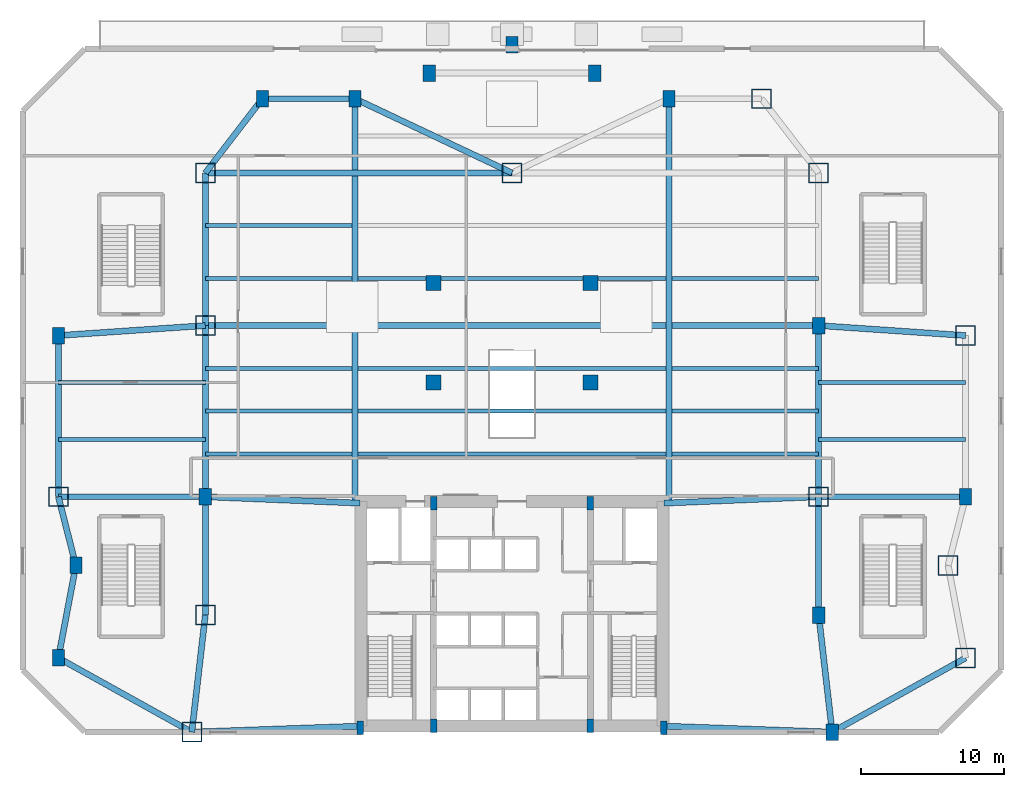
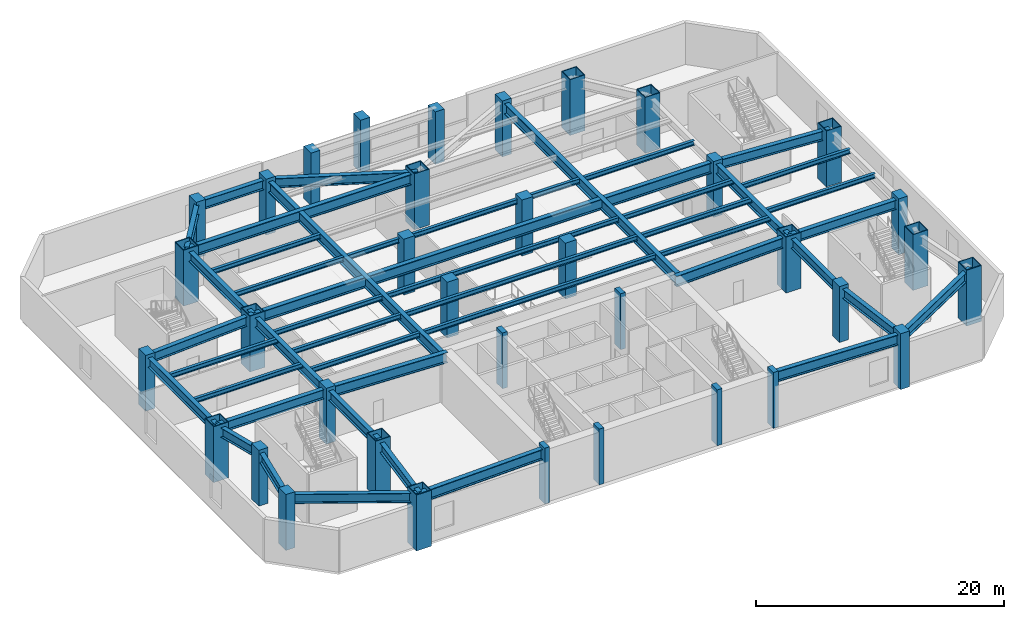
# One storey, part 1 of 10: 44 beams, 36 columns.
"""IFC4 building model written with IfcOpenShell, lengths in metres."""

import ifcopenshell
import ifcopenshell.guid

model = None  # the IFC model being written
_history = None  # IfcOwnerHistory: only IFC2X3 demands one
_inside = {}  # id of a spatial element -> (the spatial element, [elements in it])
_under = {}  # id of a project, library or spatial element -> (it, [spatial elements below it])
_declared = {}  # id of a project -> (the project, [libraries it declares])
_typed = {}  # id of a type object -> (the type object, [elements of that type])
_made_of = {}  # id of a material, layer set ... -> (it, [elements and type objects made of it])


def new_model(schema):
    """Start an empty IFC model of exactly this schema.

    Asked for "IFC4X3", IfcOpenShell would pick the latest addendum, in which some entities
    have other attributes; the version numbers below select the first issue.
    IFC2X3 requires an IfcOwnerHistory on every rooted entity: one is made here for all.
    """
    global model, _history
    if schema == "IFC4X3":
        model = ifcopenshell.file(schema_version=(4, 3, 0, 0))
    else:
        model = ifcopenshell.file(schema=schema)
    _inside.clear()
    _under.clear()
    _declared.clear()
    _typed.clear()
    _made_of.clear()
    _history = None
    if model.schema == "IFC2X3":
        org = make("IfcOrganization", Name="unknown")
        user = make(
            "IfcPersonAndOrganization",
            ThePerson=make("IfcPerson", FamilyName="unknown"),
            TheOrganization=org,
        )
        app = make(
            "IfcApplication",
            ApplicationDeveloper=org,
            Version="unknown",
            ApplicationFullName="unknown",
            ApplicationIdentifier="unknown",
        )
        _history = make(
            "IfcOwnerHistory",
            OwningUser=user,
            OwningApplication=app,
            ChangeAction="ADDED",
            CreationDate=0,
        )
    return model


def make(cls, **values):
    """One entity of the class cls with the attributes given. An attribute that is None is left unset."""
    return model.create_entity(
        cls, **{name: value for name, value in values.items() if value is not None}
    )


def rooted(cls, **values):
    """An entity with a GlobalId (a new one), such as an element, a storey or a relation."""
    return make(cls, GlobalId=ifcopenshell.guid.new(), OwnerHistory=_history, **values)


def si_unit(unit_type, name, prefix=None):
    """IfcSIUnit, for example si_unit("LENGTHUNIT", "METRE", prefix="MILLI")."""
    return make("IfcSIUnit", UnitType=unit_type, Prefix=prefix, Name=name)


def assignment(units):
    """IfcUnitAssignment: the units of a project."""
    return None if units is None else make("IfcUnitAssignment", Units=units)


def point(xyz):
    """IfcCartesianPoint."""
    return None if xyz is None else make("IfcCartesianPoint", Coordinates=xyz)


def direction(xyz):
    """IfcDirection."""
    return None if xyz is None else make("IfcDirection", DirectionRatios=xyz)


def frame(location, z_axis=None, x_axis=None):
    """IfcAxis2Placement3D, a coordinate frame: its origin and axes. An axis left out is left unset."""
    return make(
        "IfcAxis2Placement3D",
        Location=point(location),
        Axis=direction(z_axis),
        RefDirection=direction(x_axis),
    )


def frame_2d(location, x_axis=None):
    """IfcAxis2Placement2D, a coordinate frame in the plane: its origin and x axis."""
    return make(
        "IfcAxis2Placement2D", Location=point(location), RefDirection=direction(x_axis)
    )


def origin():
    """The frame at (0, 0, 0) with its axes left unset."""
    return frame((0.0, 0.0, 0.0))


def origin_2d():
    """The frame at (0, 0) in the plane with its x axis left unset."""
    return frame_2d((0.0, 0.0))


def place(relative_to, where):
    """IfcLocalPlacement: puts the frame where relative to a parent placement (None: the world)."""
    return make(
        "IfcLocalPlacement", PlacementRelTo=relative_to, RelativePlacement=where
    )


def context(
    kind, dimensions, precision=None, world=None, true_north=None, identifier=None
):
    """IfcGeometricRepresentationContext, for example the 3D "Model" context."""
    return make(
        "IfcGeometricRepresentationContext",
        ContextIdentifier=identifier,
        ContextType=kind,
        CoordinateSpaceDimension=dimensions,
        Precision=precision,
        WorldCoordinateSystem=world,
        TrueNorth=true_north,
    )


def subcontext(parent, identifier, kind, view, scale=None):
    """IfcGeometricRepresentationSubContext, for example "Body" below "Model"."""
    return make(
        "IfcGeometricRepresentationSubContext",
        ContextIdentifier=identifier,
        ContextType=kind,
        ParentContext=parent,
        TargetScale=scale,
        TargetView=view,
    )


def project(units=None, contexts=None):
    """IfcProject with its units and contexts."""
    return rooted(
        "IfcProject",
        Name="project",
        RepresentationContexts=contexts,
        UnitsInContext=assignment(units),
    )


def spatial(cls, under=None, at=None, **own):
    """A site, building, storey or space (cls), placed at a placement, below another one or the project."""
    s = rooted(cls, ObjectPlacement=at, **own)
    if under is not None:
        _under.setdefault(under.id(), (under, []))[1].append(s)
    return s


def profile(cls, at=None, kind="AREA", **sizes):
    """A parametric profile (cls). Its sizes go by their IFC names, for example OverallWidth=200.0."""
    return make(cls, ProfileType=kind, Position=at, **sizes)


def rectangle(**sizes):
    """IfcRectangleProfileDef."""
    return profile("IfcRectangleProfileDef", **sizes)


def hollow_rectangle(**sizes):
    """IfcRectangleHollowProfileDef."""
    return profile("IfcRectangleHollowProfileDef", **sizes)


def i_section(**sizes):
    """IfcIShapeProfileDef."""
    return profile("IfcIShapeProfileDef", **sizes)


def extrude(swept, where, along, depth):
    """IfcExtrudedAreaSolid: the profile swept, set in the frame where, extruded along a direction by depth."""
    return make(
        "IfcExtrudedAreaSolid",
        SweptArea=swept,
        Position=where,
        ExtrudedDirection=direction(along),
        Depth=depth,
    )


def shape(context_of_items, identifier, shape_type, items):
    """IfcShapeRepresentation: the items that make up one representation, for example the "Body"."""
    return make(
        "IfcShapeRepresentation",
        ContextOfItems=context_of_items,
        RepresentationIdentifier=identifier,
        RepresentationType=shape_type,
        Items=items,
    )


def source(mapping_origin, context_of_items, identifier, shape_type, items):
    """IfcRepresentationMap: a shape defined once, which mapped items show again and again."""
    return make(
        "IfcRepresentationMap",
        MappingOrigin=mapping_origin,
        MappedRepresentation=shape(context_of_items, identifier, shape_type, items),
    )


def transform(
    local_origin,
    x_axis=None,
    y_axis=None,
    z_axis=None,
    scale=None,
    scale2=None,
    scale3=None,
    uniform=True,
):
    """IfcCartesianTransformationOperator3D, or its non-uniform kind. x_axis, y_axis, z_axis: its Axis1, 2, 3."""
    if uniform:
        return make(
            "IfcCartesianTransformationOperator3D",
            Axis1=direction(x_axis),
            Axis2=direction(y_axis),
            LocalOrigin=point(local_origin),
            Scale=scale,
            Axis3=direction(z_axis),
        )
    return make(
        "IfcCartesianTransformationOperator3DnonUniform",
        Axis1=direction(x_axis),
        Axis2=direction(y_axis),
        LocalOrigin=point(local_origin),
        Scale=scale,
        Axis3=direction(z_axis),
        Scale2=scale2,
        Scale3=scale3,
    )


def mapped(mapping_source, mapping_target):
    """IfcMappedItem: shows the shape of a source again, moved by a transform."""
    return make(
        "IfcMappedItem", MappingSource=mapping_source, MappingTarget=mapping_target
    )


def material(Name=None, Category=None):
    """IfcMaterial."""
    return make("IfcMaterial", Name=Name, Category=Category)


def material_profile(
    of_material, cross_section, Name=None, Category=None, Priority=None
):
    """IfcMaterialProfile: a cross section and its material."""
    return make(
        "IfcMaterialProfile",
        Name=Name,
        Material=of_material,
        Profile=cross_section,
        Priority=Priority,
        Category=Category,
    )


def profile_set(profiles, Name=None, composite=None):
    """IfcMaterialProfileSet."""
    return make(
        "IfcMaterialProfileSet",
        Name=Name,
        MaterialProfiles=profiles,
        CompositeProfile=composite,
    )


def made_of(thing, what):
    """Note that an element or type object is made of a material, layer set ...; save() writes the relation."""
    if what is not None:
        _made_of.setdefault(what.id(), (what, []))[1].append(thing)
    return thing


def type_object(cls, material=None, **own):
    """A type object (cls), such as IfcWallType, which elements share."""
    return made_of(rooted(cls, **own), material)


def type_shapes(of_type, sources):
    """Give a type object the sources (RepresentationMaps) that its elements show as mapped items."""
    of_type.RepresentationMaps = sources


def element(
    cls,
    number,
    at=None,
    inside=None,
    cuts=None,
    type_object=None,
    material=None,
    context=None,
    identifier="Body",
    shape_type=None,
    held_by="IfcProductDefinitionShape",
    body=None,
    shapes=None,
    **own,
):
    """One element of the class cls, such as IfcWall. Its Tag is "e" and its number.

    at: its placement. inside: the storey or other place that contains it. cuts: it is an
    opening in that element (IfcRelVoidsElement). A single representation is given by context,
    identifier, shape_type and body (its items); several are given by shapes. held_by: the class
    of the entity that holds the representations. save() writes the other relations.
    """
    e = rooted(cls, Tag="e%d" % number, ObjectPlacement=at, **own)
    if body is not None:
        shapes = [shape(context, identifier, shape_type, body)]
    if shapes is not None:
        e.Representation = make(held_by, Representations=shapes)
    if inside is not None:
        _inside.setdefault(inside.id(), (inside, []))[1].append(e)
    if cuts is not None:
        rooted(
            "IfcRelVoidsElement", RelatingBuildingElement=cuts, RelatedOpeningElement=e
        )
    if type_object is not None:
        _typed.setdefault(type_object.id(), (type_object, []))[1].append(e)
    return made_of(e, material)


def aggregate(whole, parts):
    """IfcRelAggregates: a whole, such as a stair, and the parts it consists of."""
    return rooted("IfcRelAggregates", RelatingObject=whole, RelatedObjects=parts)


def save(model, path):
    """Write the relations noted so far, then the file.

    IfcRelAggregates (storeys below a building ...), IfcRelContainedInSpatialStructure (elements
    in a storey), IfcRelDefinesByType, IfcRelAssociatesMaterial and IfcRelDeclares: one each for
    every whole, place, type object, material and project.
    """
    for whole, parts in _under.values():
        aggregate(whole, parts)
    for where, things in _inside.values():
        rooted(
            "IfcRelContainedInSpatialStructure",
            RelatedElements=things,
            RelatingStructure=where,
        )
    for kind, things in _typed.values():
        rooted("IfcRelDefinesByType", RelatedObjects=things, RelatingType=kind)
    for what, things in _made_of.values():
        rooted("IfcRelAssociatesMaterial", RelatedObjects=things, RelatingMaterial=what)
    for by, libraries in _declared.values():
        rooted("IfcRelDeclares", RelatingContext=by, RelatedDefinitions=libraries)
    model.write(path)


model = new_model("IFC4")

# Units and contexts
model_context = context("Model", 3, precision=1e-05, world=origin(), true_north=direction((0.0, 1.0)))
body_context = subcontext(model_context, "Body", "Model", "MODEL_VIEW")
ifc_project = project(units=[si_unit("LENGTHUNIT", "METRE"), si_unit("AREAUNIT", "SQUARE_METRE"), si_unit("VOLUMEUNIT", "CUBIC_METRE"), si_unit("PLANEANGLEUNIT", "RADIAN"), si_unit("MASSUNIT", "GRAM", prefix="KILO")], contexts=[model_context])

# Site, building, storey
site_placement = place(None, origin())
site = spatial("IfcSite", under=ifc_project, at=site_placement, CompositionType="ELEMENT")
building_placement = place(site_placement, origin())
building = spatial("IfcBuilding", under=site, at=building_placement, Name="Varnakhor Terracotta Tower", CompositionType="ELEMENT")
storey_placement = place(building_placement, frame((0.0, 0.0, 5.5)))
storey = spatial("IfcBuildingStorey", under=building, at=storey_placement, Name="L01", CompositionType="ELEMENT", Elevation=5.5)

# Columns
ifc_material_1 = material(Name="Concrete C50/60", Category="concrete")
ifc_material_profile_1 = material_profile(ifc_material_1, rectangle(XDim=0.449951171875, YDim=0.949951171875, at=origin_2d()), Name="RC PILASTER 950x450")
ifc_profile_set_1 = profile_set([ifc_material_profile_1], Name="Concrete C50/60")
column_type_1 = type_object("IfcColumnType", Name="COL-PIL-950x450", PredefinedType="PILASTER", material=ifc_profile_set_1)
shared_shape_1 = source(origin(), body_context, "Body", "SweptSolid", [
    extrude(rectangle(XDim=0.449951171875, YDim=0.949951171875, at=origin_2d()), origin(), (0.0, 0.0, 1.0), 5.5),
])
for number, where, z_axis, x_axis, name in (
    (1, (-10.64990234375, 0.300048828125, 0.0), (0.0, 0.0, 1.0), (1.0, 0.0, 0.0), "L01 Core Pilaster CP1"),
    (2, (-5.5, 0.449951171875, 0.0), (0.0, 0.0, 1.0), (1.0, 0.0, 0.0), "L01 Core Pilaster CP2"),
    (3, (5.5, 0.449951171875, 0.0), (0.0, 0.0, 1.0), (1.0, 0.0, 0.0), "L01 Core Pilaster CP3"),
    (4, (10.64990234375, 0.300048828125, 0.0), (0.0, 0.0, 1.0), (1.0, 0.0, 0.0), "L01 Core Pilaster CP4"),
    (5, (-5.5, 16.050048828125, 0.0), (0.0, 0.0, 1.0), (1.0, 0.0, 0.0), "L01 Core Pilaster CP5"),
    (6, (5.5, 16.050048828125, 0.0), (0.0, 0.0, 1.0), (1.0, 0.0, 0.0), "L01 Core Pilaster CP6"),
):
    element("IfcColumn", number, at=place(storey_placement, frame(where, z_axis=z_axis, x_axis=x_axis)), inside=storey, type_object=column_type_1, Name=name, PredefinedType="PILASTER", context=body_context, shape_type="MappedRepresentation", body=[
        mapped(shared_shape_1, transform((0.0, 0.0, 0.0), scale=1.0)),
    ])
ifc_material_2 = material(Name="Concrete C60/75", Category="concrete")
ifc_material_profile_2 = material_profile(ifc_material_2, rectangle(XDim=1.050048828125, YDim=1.050048828125, at=origin_2d()), Name="RC 1050x1050")
ifc_profile_set_2 = profile_set([ifc_material_profile_2], Name="Concrete C60/75")
column_type_2 = type_object("IfcColumnType", Name="COL-RC-1050", PredefinedType="COLUMN", material=ifc_profile_set_2)
shared_shape_2 = source(origin(), body_context, "Body", "SweptSolid", [
    extrude(rectangle(XDim=1.050048828125, YDim=1.050048828125, at=origin_2d()), origin(), (0.0, 0.0, 1.0), 5.5),
])
type_shapes(column_type_2, [shared_shape_2])
for number, where, z_axis, x_axis, name in (
    (7, (-5.5, 24.5, 0.0), (0.0, 0.0, 1.0), (1.0, 0.0, 0.0), "L01 Interior Plumb Tower Column I1"),
    (8, (5.5, 24.5, 0.0), (0.0, 0.0, 1.0), (1.0, 0.0, 0.0), "L01 Interior Plumb Tower Column I2"),
    (9, (-5.5, 31.5, 0.0), (0.0, 0.0, 1.0), (1.0, 0.0, 0.0), "L01 Interior Plumb Tower Column I3"),
    (10, (5.5, 31.5, 0.0), (0.0, 0.0, 1.0), (1.0, 0.0, 0.0), "L01 Interior Plumb Tower Column I4"),
):
    element("IfcColumn", number, at=place(storey_placement, frame(where, z_axis=z_axis, x_axis=x_axis)), inside=storey, type_object=column_type_2, Name=name, PredefinedType="COLUMN", context=body_context, shape_type="MappedRepresentation", body=[
        mapped(shared_shape_2, transform((0.0, 0.0, 0.0), scale=1.0)),
    ])
ifc_material_profile_3 = material_profile(ifc_material_2, rectangle(XDim=0.85009765625, YDim=1.14990234375, at=origin_2d()), Name="RC 1150x850")
ifc_profile_set_3 = profile_set([ifc_material_profile_3], Name="Concrete C60/75")
column_type_3 = type_object("IfcColumnType", Name="COL-RC-1150x850", PredefinedType="COLUMN", material=ifc_profile_set_3)
shared_shape_3 = source(origin(), body_context, "Body", "SweptSolid", [
    extrude(rectangle(XDim=0.85009765625, YDim=1.14990234375, at=origin_2d()), origin(), (0.0, 0.0, 1.0), 5.159912109375),
])
for number, where, z_axis, x_axis, name in (
    (11, (-5.800048828125, 46.199951171875, 0.0), (0.0, 0.0, 1.0), (1.0, 0.0, 0.0), "L01 North Terrace Support Column 1"),
    (12, (5.800048828125, 46.199951171875, 0.0), (0.0, 0.0, 1.0), (1.0, 0.0, 0.0), "L01 North Terrace Support Column 2"),
    (13, (0.0, 48.199951171875, 0.0), (0.0, 0.0, 1.0), (1.0, 0.0, 0.0), "L01 North Terrace Support Column 3"),
):
    element("IfcColumn", number, at=place(storey_placement, frame(where, z_axis=z_axis, x_axis=x_axis)), inside=storey, type_object=column_type_3, Name=name, PredefinedType="COLUMN", context=body_context, shape_type="MappedRepresentation", body=[
        mapped(shared_shape_3, transform((0.0, 0.0, 0.0), scale=1.0)),
    ])
ifc_material_3 = material(Name="Steel S460", Category="steel")
ifc_material_profile_4 = material_profile(ifc_material_3, hollow_rectangle(XDim=1.39990234375, YDim=1.39990234375, WallThickness=0.070068359375, at=origin_2d()), Name="BOX 1400x1400x70")
ifc_profile_set_4 = profile_set([ifc_material_profile_4], Name="Steel S460")
column_type_4 = type_object("IfcColumnType", Name="COL-MEGA-1400", PredefinedType="COLUMN", material=ifc_profile_set_4)
shared_shape_4 = source(origin(), body_context, "Body", "SweptSolid", [
    extrude(hollow_rectangle(XDim=1.39990234375, YDim=1.39990234375, WallThickness=0.070068359375, at=origin_2d()), origin(), (0.0, 0.0, 1.0), 5.5),
])
for number, where, z_axis, x_axis, name in (
    (14, (-22.446044921875, 0.0, 0.0), (0.0, 0.0, 1.0), (1.0, 0.0, 0.0), "L01 Podium Column PC01"),
    (15, (-21.5, 8.199951171875, 0.0), (0.0, 0.0, 1.0), (1.0, 0.0, 0.0), "L01 Podium Column PC03"),
    (16, (-31.800048828125, 16.5, 0.0), (0.0, 0.0, 1.0), (1.0, 0.0, 0.0), "L01 Podium Column PC05"),
    (17, (-21.5, 28.5, 0.0), (0.0, 0.0, 1.0), (1.0, 0.0, 0.0), "L01 Podium Column PC07"),
    (18, (-21.5, 39.199951171875, 0.0), (0.0, 0.0, 1.0), (1.0, 0.0, 0.0), "L01 Podium Column PC09"),
    (19, (0.0, 39.199951171875, 0.0), (0.0, 0.0, 1.0), (1.0, 0.0, 0.0), "L01 Podium Column PC11"),
    (20, (21.5, 39.199951171875, 0.0), (0.0, 0.0, 1.0), (1.0, 0.0, 0.0), "L01 Podium Column PC13"),
    (21, (21.5, 16.5, 0.0), (0.0, 0.0, 1.0), (1.0, 0.0, 0.0), "L01 Podium Column PC15"),
    (22, (31.800048828125, 5.199951171875, 0.0), (0.0, 0.0, 1.0), (1.0, 0.0, 0.0), "L01 Podium Column PC17"),
    (23, (31.800048828125, 27.800048828125, 0.0), (0.0, 0.0, 1.0), (1.0, 0.0, 0.0), "L01 Podium Column PC19"),
    (24, (17.5, 44.39990234375, 0.0), (0.0, 0.0, 1.0), (1.0, 0.0, 0.0), "L01 Podium Column PC21"),
    (25, (30.572998046875, 11.68701171875, 0.0), (0.0, 0.0, 1.0), (1.0, 0.0, 0.0), "L01 Podium Column PC23"),
):
    element("IfcColumn", number, at=place(storey_placement, frame(where, z_axis=z_axis, x_axis=x_axis)), inside=storey, type_object=column_type_4, Name=name, PredefinedType="COLUMN", context=body_context, shape_type="MappedRepresentation", body=[
        mapped(shared_shape_4, transform((0.0, 0.0, 0.0), scale=1.0)),
    ])
shared_shape_5 = source(origin(), body_context, "Body", "SweptSolid", [
    extrude(rectangle(XDim=0.85009765625, YDim=1.14990234375, at=origin_2d()), origin(), (0.0, 0.0, 1.0), 5.5),
])
for number, where, z_axis, x_axis, name in (
    (26, (22.446044921875, 0.0, 0.0), (0.0, 0.0, 1.0), (1.0, 0.0, 0.0), "L01 Podium Column PC02"),
    (27, (21.5, 8.199951171875, 0.0), (0.0, 0.0, 1.0), (1.0, 0.0, 0.0), "L01 Podium Column PC04"),
    (28, (31.800048828125, 16.5, 0.0), (0.0, 0.0, 1.0), (1.0, 0.0, 0.0), "L01 Podium Column PC06"),
    (29, (21.5, 28.5, 0.0), (0.0, 0.0, 1.0), (1.0, 0.0, 0.0), "L01 Podium Column PC08"),
    (30, (-11.0, 44.39990234375, 0.0), (0.0, 0.0, 1.0), (1.0, 0.0, 0.0), "L01 Podium Column PC10"),
    (31, (11.0, 44.39990234375, 0.0), (0.0, 0.0, 1.0), (1.0, 0.0, 0.0), "L01 Podium Column PC12"),
    (32, (-21.5, 16.5, 0.0), (0.0, 0.0, 1.0), (1.0, 0.0, 0.0), "L01 Podium Column PC14"),
    (33, (-31.800048828125, 5.199951171875, 0.0), (0.0, 0.0, 1.0), (1.0, 0.0, 0.0), "L01 Podium Column PC16"),
    (34, (-31.800048828125, 27.800048828125, 0.0), (0.0, 0.0, 1.0), (1.0, 0.0, 0.0), "L01 Podium Column PC18"),
    (35, (-17.5, 44.39990234375, 0.0), (0.0, 0.0, 1.0), (1.0, 0.0, 0.0), "L01 Podium Column PC20"),
    (36, (-30.572998046875, 11.68701171875, 0.0), (0.0, 0.0, 1.0), (1.0, 0.0, 0.0), "L01 Podium Column PC22"),
):
    element("IfcColumn", number, at=place(storey_placement, frame(where, z_axis=z_axis, x_axis=x_axis)), inside=storey, type_object=column_type_3, Name=name, PredefinedType="COLUMN", context=body_context, shape_type="MappedRepresentation", body=[
        mapped(shared_shape_5, transform((0.0, 0.0, 0.0), scale=1.0)),
    ])

# Beams
ifc_material_4 = material(Name="Steel S355", Category="steel")
ifc_material_profile_5 = material_profile(ifc_material_4, i_section(OverallWidth=0.41796875, OverallDepth=0.927001953125, WebThickness=0.01904296875, FlangeThickness=0.031982421875, FilletRadius=0.01806640625, at=origin_2d()), Name="W36X231")
ifc_profile_set_5 = profile_set([ifc_material_profile_5], Name="Steel S355")
beam_type_1 = type_object("IfcBeamType", Name="BM-W36X231", PredefinedType="BEAM", material=ifc_profile_set_5)
shared_shape_6 = source(origin(), body_context, "Body", "SweptSolid", [
    extrude(i_section(OverallWidth=0.41796875, OverallDepth=0.927001953125, WebThickness=0.01904296875, FlangeThickness=0.031982421875, FilletRadius=0.01806640625, at=origin_2d()), origin(), (0.0, 0.0, 1.0), 8.25439453125),
])
type_shapes(beam_type_1, [shared_shape_6])
for number, where, z_axis, x_axis, name in (
    (37, (-22.446044921875, 0.0, 4.70654296875), (0.114611758944, 0.993410360683, 0.0), (-0.993410360683, 0.114611758944, 0.0), "L01 Podium Ring Girder 1"),
    (38, (21.5, 8.199951171875, 4.70654296875), (0.114611758944, -0.993410360683, 0.0), (0.993410360683, 0.114611758944, 0.0), "L01 Podium Ring Girder 14"),
):
    element("IfcBeam", number, at=place(storey_placement, frame(where, z_axis=z_axis, x_axis=x_axis)), inside=storey, type_object=beam_type_1, Name=name, PredefinedType="BEAM", context=body_context, shape_type="MappedRepresentation", body=[
        mapped(shared_shape_6, transform((0.0, 0.0, 0.0), scale=1.0)),
    ])
shared_shape_7 = source(origin(), body_context, "Body", "SweptSolid", [
    extrude(i_section(OverallWidth=0.41796875, OverallDepth=0.927001953125, WebThickness=0.01904296875, FlangeThickness=0.031982421875, FilletRadius=0.01806640625, at=origin_2d()), origin(), (0.0, 0.0, 1.0), 8.300048828125),
])
for number, where, z_axis, x_axis, name in (
    (39, (-21.5, 8.199951171875, 4.70654296875), (0.0, 1.0, 0.0), (-1.0, 0.0, 0.0), "L01 Podium Ring Girder 2"),
    (40, (21.5, 16.5, 4.70654296875), (0.0, -1.0, 0.0), (1.0, 0.0, 0.0), "L01 Podium Ring Girder 13"),
):
    element("IfcBeam", number, at=place(storey_placement, frame(where, z_axis=z_axis, x_axis=x_axis)), inside=storey, type_object=beam_type_1, Name=name, PredefinedType="BEAM", context=body_context, shape_type="MappedRepresentation", body=[
        mapped(shared_shape_7, transform((0.0, 0.0, 0.0), scale=1.0)),
    ])
shared_shape_8 = source(origin(), body_context, "Body", "SweptSolid", [
    extrude(i_section(OverallWidth=0.41796875, OverallDepth=0.927001953125, WebThickness=0.01904296875, FlangeThickness=0.031982421875, FilletRadius=0.01806640625, at=origin_2d()), origin(), (0.0, 0.0, 1.0), 12.0),
])
for number, where, z_axis, x_axis, name in (
    (41, (-21.5, 16.5, 4.70654296875), (0.0, 1.0, 0.0), (-1.0, 0.0, 0.0), "L01 Podium Ring Girder 3"),
    (42, (21.5, 28.5, 4.70654296875), (0.0, -1.0, 0.0), (1.0, 0.0, 0.0), "L01 Podium Ring Girder 12"),
):
    element("IfcBeam", number, at=place(storey_placement, frame(where, z_axis=z_axis, x_axis=x_axis)), inside=storey, type_object=beam_type_1, Name=name, PredefinedType="BEAM", context=body_context, shape_type="MappedRepresentation", body=[
        mapped(shared_shape_8, transform((0.0, 0.0, 0.0), scale=1.0)),
    ])
shared_shape_9 = source(origin(), body_context, "Body", "SweptSolid", [
    extrude(i_section(OverallWidth=0.41796875, OverallDepth=0.927001953125, WebThickness=0.01904296875, FlangeThickness=0.031982421875, FilletRadius=0.01806640625, at=origin_2d()), origin(), (0.0, 0.0, 1.0), 10.699951171875),
])
beam_1_placement = place(storey_placement, frame((-21.5, 28.5, 4.70654296875), z_axis=(0.0, 1.0, 0.0), x_axis=(-1.0, 0.0, 0.0)))
element("IfcBeam", 43, at=beam_1_placement, inside=storey, type_object=beam_type_1, Name="L01 Podium Ring Girder 4", PredefinedType="BEAM", context=body_context, shape_type="MappedRepresentation", body=[
    mapped(shared_shape_9, transform((0.0, 0.0, 0.0), scale=1.0)),
])
shared_shape_10 = source(origin(), body_context, "Body", "SweptSolid", [
    extrude(i_section(OverallWidth=0.41796875, OverallDepth=0.927001953125, WebThickness=0.01904296875, FlangeThickness=0.031982421875, FilletRadius=0.01806640625, at=origin_2d()), origin(), (0.0, 0.0, 1.0), 6.560546875),
])
beam_2_placement = place(storey_placement, frame((-21.5, 39.199951171875, 4.70654296875), z_axis=(0.609714357737, 0.792621222255, 0.0), x_axis=(-0.792621222255, 0.609714357737, 0.0)))
element("IfcBeam", 44, at=beam_2_placement, inside=storey, type_object=beam_type_1, Name="L01 Podium Ring Girder 5", PredefinedType="BEAM", context=body_context, shape_type="MappedRepresentation", body=[
    mapped(shared_shape_10, transform((0.0, 0.0, 0.0), scale=1.0)),
])
shared_shape_11 = source(origin(), body_context, "Body", "SweptSolid", [
    extrude(i_section(OverallWidth=0.41796875, OverallDepth=0.927001953125, WebThickness=0.01904296875, FlangeThickness=0.031982421875, FilletRadius=0.01806640625, at=origin_2d()), origin(), (0.0, 0.0, 1.0), 6.5),
])
beam_3_placement = place(storey_placement, frame((-17.5, 44.39990234375, 4.70654296875), z_axis=(1.0, 0.0, 0.0), x_axis=(0.0, 1.0, 0.0)))
element("IfcBeam", 45, at=beam_3_placement, inside=storey, type_object=beam_type_1, Name="L01 Podium Ring Girder 6", PredefinedType="BEAM", context=body_context, shape_type="MappedRepresentation", body=[
    mapped(shared_shape_11, transform((0.0, 0.0, 0.0), scale=1.0)),
])
shared_shape_12 = source(origin(), body_context, "Body", "SweptSolid", [
    extrude(i_section(OverallWidth=0.41796875, OverallDepth=0.927001953125, WebThickness=0.01904296875, FlangeThickness=0.031982421875, FilletRadius=0.01806640625, at=origin_2d()), origin(), (0.0, 0.0, 1.0), 12.167236328125),
])
beam_4_placement = place(storey_placement, frame((-11.0, 44.39990234375, 4.70654296875), z_axis=(0.904073817094, -0.427376336787, 0.0), x_axis=(0.427376336787, 0.904073817094, 0.0)))
element("IfcBeam", 46, at=beam_4_placement, inside=storey, type_object=beam_type_1, Name="L01 Podium Ring Girder 7", PredefinedType="BEAM", context=body_context, shape_type="MappedRepresentation", body=[
    mapped(shared_shape_12, transform((0.0, 0.0, 0.0), scale=1.0)),
])
shared_shape_13 = source(origin(), body_context, "Body", "SweptSolid", [
    extrude(i_section(OverallWidth=0.41796875, OverallDepth=0.927001953125, WebThickness=0.01904296875, FlangeThickness=0.031982421875, FilletRadius=0.01806640625, at=origin_2d()), origin(), (0.0, 0.0, 1.0), 10.7021484375),
])
for number, where, z_axis, x_axis, name in (
    (47, (-22.446044921875, 0.0, 4.70654296875), (-0.874027042936, 0.485877276909, 0.0), (-0.485877276909, -0.874027042936, 0.0), "L01 Podium Wing Girder OW1"),
    (48, (22.446044921875, 0.0, 4.70654296875), (0.874027042936, 0.485877276909, 0.0), (-0.485877276909, 0.874027042936, 0.0), "L01 Podium Wing Girder OE1"),
):
    element("IfcBeam", number, at=place(storey_placement, frame(where, z_axis=z_axis, x_axis=x_axis)), inside=storey, type_object=beam_type_1, Name=name, PredefinedType="BEAM", context=body_context, shape_type="MappedRepresentation", body=[
        mapped(shared_shape_13, transform((0.0, 0.0, 0.0), scale=1.0)),
    ])
shared_shape_14 = source(origin(), body_context, "Body", "SweptSolid", [
    extrude(i_section(OverallWidth=0.41796875, OverallDepth=0.927001953125, WebThickness=0.01904296875, FlangeThickness=0.031982421875, FilletRadius=0.01806640625, at=origin_2d()), origin(), (0.0, 0.0, 1.0), 6.60205078125),
])
beam_5_placement = place(storey_placement, frame((-31.800048828125, 5.199951171875, 4.70654296875), z_axis=(0.185857896361, 0.982576634345, 0.0), x_axis=(-0.982576634345, 0.185857896361, 0.0)))
element("IfcBeam", 49, at=beam_5_placement, inside=storey, type_object=beam_type_1, Name="L01 Podium Wing Girder OW2A", PredefinedType="BEAM", context=body_context, shape_type="MappedRepresentation", body=[
    mapped(shared_shape_14, transform((0.0, 0.0, 0.0), scale=1.0)),
])
shared_shape_15 = source(origin(), body_context, "Body", "SweptSolid", [
    extrude(i_section(OverallWidth=0.41796875, OverallDepth=0.927001953125, WebThickness=0.01904296875, FlangeThickness=0.031982421875, FilletRadius=0.01806640625, at=origin_2d()), origin(), (0.0, 0.0, 1.0), 4.967041015625),
])
beam_6_placement = place(storey_placement, frame((-30.572998046875, 11.68701171875, 4.70654296875), z_axis=(-0.247043524216, 0.969004384481, 0.0), x_axis=(-0.969004384481, -0.247043524216, 0.0)))
element("IfcBeam", 50, at=beam_6_placement, inside=storey, type_object=beam_type_1, Name="L01 Podium Wing Girder OW2B", PredefinedType="BEAM", context=body_context, shape_type="MappedRepresentation", body=[
    mapped(shared_shape_15, transform((0.0, 0.0, 0.0), scale=1.0)),
])
shared_shape_16 = source(origin(), body_context, "Body", "SweptSolid", [
    extrude(i_section(OverallWidth=0.41796875, OverallDepth=0.927001953125, WebThickness=0.01904296875, FlangeThickness=0.031982421875, FilletRadius=0.01806640625, at=origin_2d()), origin(), (0.0, 0.0, 1.0), 11.300048828125),
])
beam_7_placement = place(storey_placement, frame((-31.800048828125, 16.5, 4.70654296875), z_axis=(0.0, 1.0, 0.0), x_axis=(-1.0, 0.0, 0.0)))
element("IfcBeam", 51, at=beam_7_placement, inside=storey, type_object=beam_type_1, Name="L01 Podium Wing Girder OW3", PredefinedType="BEAM", context=body_context, shape_type="MappedRepresentation", body=[
    mapped(shared_shape_16, transform((0.0, 0.0, 0.0), scale=1.0)),
])
shared_shape_17 = source(origin(), body_context, "Body", "SweptSolid", [
    extrude(i_section(OverallWidth=0.41796875, OverallDepth=0.927001953125, WebThickness=0.01904296875, FlangeThickness=0.031982421875, FilletRadius=0.01806640625, at=origin_2d()), origin(), (0.0, 0.0, 1.0), 10.300048828125),
])
for number, where, z_axis, x_axis, name in (
    (52, (-21.5, 16.5, 4.70654296875), (-1.0, 0.0, 0.0), (0.0, -1.0, 0.0), "L01 Podium Wing Girder OW4"),
    (53, (21.5, 16.5, 4.70654296875), (1.0, 0.0, 0.0), (0.0, 1.0, 0.0), "L01 Podium Wing Girder OE4"),
):
    element("IfcBeam", number, at=place(storey_placement, frame(where, z_axis=z_axis, x_axis=x_axis)), inside=storey, type_object=beam_type_1, Name=name, PredefinedType="BEAM", context=body_context, shape_type="MappedRepresentation", body=[
        mapped(shared_shape_17, transform((0.0, 0.0, 0.0), scale=1.0)),
    ])
shared_shape_18 = source(origin(), body_context, "Body", "SweptSolid", [
    extrude(i_section(OverallWidth=0.41796875, OverallDepth=0.927001953125, WebThickness=0.01904296875, FlangeThickness=0.031982421875, FilletRadius=0.01806640625, at=origin_2d()), origin(), (0.0, 0.0, 1.0), 10.32373046875),
])
for number, where, z_axis, x_axis, name in (
    (54, (-21.5, 28.5, 4.70654296875), (-0.997698950759, -0.067799731964, 0.0), (0.067799731964, -0.997698950759, 0.0), "L01 Podium Wing Girder OW5"),
    (55, (21.5, 28.5, 4.70654296875), (0.997698950759, -0.067799731964, 0.0), (0.067799731964, 0.997698950759, 0.0), "L01 Podium Wing Girder OE5"),
):
    element("IfcBeam", number, at=place(storey_placement, frame(where, z_axis=z_axis, x_axis=x_axis)), inside=storey, type_object=beam_type_1, Name=name, PredefinedType="BEAM", context=body_context, shape_type="MappedRepresentation", body=[
        mapped(shared_shape_18, transform((0.0, 0.0, 0.0), scale=1.0)),
    ])
ifc_material_profile_6 = material_profile(ifc_material_3, i_section(OverallWidth=0.419921875, OverallDepth=1.0400390625, WebThickness=0.031005859375, FlangeThickness=0.055908203125, FilletRadius=0.01806640625, at=origin_2d()), Name="W40X397")
ifc_profile_set_6 = profile_set([ifc_material_profile_6], Name="Steel S460")
beam_type_2 = type_object("IfcBeamType", Name="BM-W40X397", PredefinedType="BEAM", material=ifc_profile_set_6)
shared_shape_19 = source(origin(), body_context, "Body", "SweptSolid", [
    extrude(i_section(OverallWidth=0.419921875, OverallDepth=1.0400390625, WebThickness=0.031005859375, FlangeThickness=0.055908203125, FilletRadius=0.01806640625, at=origin_2d()), origin(), (0.0, 0.0, 1.0), 11.8037109375),
])
type_shapes(beam_type_2, [shared_shape_19])
for number, where, z_axis, x_axis, name in (
    (56, (-22.446044921875, 0.0, 4.64990234375), (0.999366984345, 0.035575702404, 0.0), (-0.035575702404, 0.999366984345, 0.0), "L01 Podium Primary Girder GW1"),
    (57, (10.64990234375, 0.419921875, 4.64990234375), (0.999366984345, -0.035575702404, 0.0), (0.035575702404, 0.999366984345, 0.0), "L01 Podium Primary Girder GE1"),
):
    element("IfcBeam", number, at=place(storey_placement, frame(where, z_axis=z_axis, x_axis=x_axis)), inside=storey, type_object=beam_type_2, Name=name, PredefinedType="BEAM", context=body_context, shape_type="MappedRepresentation", body=[
        mapped(shared_shape_19, transform((0.0, 0.0, 0.0), scale=1.0)),
    ])
shared_shape_20 = source(origin(), body_context, "Body", "SweptSolid", [
    extrude(i_section(OverallWidth=0.419921875, OverallDepth=1.0400390625, WebThickness=0.031005859375, FlangeThickness=0.055908203125, FilletRadius=0.01806640625, at=origin_2d()), origin(), (0.0, 0.0, 1.0), 10.859375),
])
for number, where, z_axis, x_axis, name in (
    (58, (-21.5, 16.5, 4.64990234375), (0.99914123612, -0.041434168088, 0.0), (0.041434168088, 0.99914123612, 0.0), "L01 Podium Primary Girder GW2"),
    (59, (10.64990234375, 16.050048828125, 4.64990234375), (0.99914123612, 0.041434168088, 0.0), (-0.041434168088, 0.99914123612, 0.0), "L01 Podium Primary Girder GE2"),
):
    element("IfcBeam", number, at=place(storey_placement, frame(where, z_axis=z_axis, x_axis=x_axis)), inside=storey, type_object=beam_type_2, Name=name, PredefinedType="BEAM", context=body_context, shape_type="MappedRepresentation", body=[
        mapped(shared_shape_20, transform((0.0, 0.0, 0.0), scale=1.0)),
    ])
shared_shape_21 = source(origin(), body_context, "Body", "SweptSolid", [
    extrude(i_section(OverallWidth=0.419921875, OverallDepth=1.0400390625, WebThickness=0.031005859375, FlangeThickness=0.055908203125, FilletRadius=0.01806640625, at=origin_2d()), origin(), (0.0, 0.0, 1.0), 43.0),
])
beam_8_placement = place(storey_placement, frame((-21.5, 28.5, 4.64990234375), z_axis=(1.0, 0.0, 0.0), x_axis=(0.0, 1.0, 0.0)))
element("IfcBeam", 60, at=beam_8_placement, inside=storey, type_object=beam_type_2, Name="L01 Podium Primary Girder GN1", PredefinedType="BEAM", context=body_context, shape_type="MappedRepresentation", body=[
    mapped(shared_shape_21, transform((0.0, 0.0, 0.0), scale=1.0)),
])
shared_shape_22 = source(origin(), body_context, "Body", "SweptSolid", [
    extrude(i_section(OverallWidth=0.419921875, OverallDepth=1.0400390625, WebThickness=0.031005859375, FlangeThickness=0.055908203125, FilletRadius=0.01806640625, at=origin_2d()), origin(), (0.0, 0.0, 1.0), 21.5),
])
beam_9_placement = place(storey_placement, frame((-21.5, 39.199951171875, 4.64990234375), z_axis=(1.0, 0.0, 0.0), x_axis=(0.0, 1.0, 0.0)))
element("IfcBeam", 61, at=beam_9_placement, inside=storey, type_object=beam_type_2, Name="L01 Podium Primary Girder GN2", PredefinedType="BEAM", context=body_context, shape_type="MappedRepresentation", body=[
    mapped(shared_shape_22, transform((0.0, 0.0, 0.0), scale=1.0)),
])
shared_shape_23 = source(origin(), body_context, "Body", "SweptSolid", [
    extrude(i_section(OverallWidth=0.419921875, OverallDepth=1.0400390625, WebThickness=0.031005859375, FlangeThickness=0.055908203125, FilletRadius=0.01806640625, at=origin_2d()), origin(), (0.0, 0.0, 1.0), 28.349853515625),
])
for number, where, z_axis, x_axis, name in (
    (62, (-11.0, 16.050048828125, 4.64990234375), (0.0, 1.0, 0.0), (-1.0, 0.0, 0.0), "L01 Podium Primary Girder GNS-W"),
    (63, (11.0, 16.050048828125, 4.64990234375), (0.0, 1.0, 0.0), (-1.0, 0.0, 0.0), "L01 Podium Primary Girder GNS-E"),
):
    element("IfcBeam", number, at=place(storey_placement, frame(where, z_axis=z_axis, x_axis=x_axis)), inside=storey, type_object=beam_type_2, Name=name, PredefinedType="BEAM", context=body_context, shape_type="MappedRepresentation", body=[
        mapped(shared_shape_23, transform((0.0, 0.0, 0.0), scale=1.0)),
    ])
ifc_material_profile_7 = material_profile(ifc_material_4, i_section(OverallWidth=0.280029296875, OverallDepth=0.462890625, WebThickness=0.010986328125, FlangeThickness=0.01708984375, FilletRadius=0.01806640625, at=origin_2d()), Name="W18X76")
ifc_profile_set_7 = profile_set([ifc_material_profile_7], Name="Steel S355")
beam_type_3 = type_object("IfcBeamType", Name="JST-W18X76", PredefinedType="JOIST", material=ifc_profile_set_7)
shared_shape_24 = source(origin(), body_context, "Body", "SweptSolid", [
    extrude(i_section(OverallWidth=0.280029296875, OverallDepth=0.462890625, WebThickness=0.010986328125, FlangeThickness=0.01708984375, FilletRadius=0.01806640625, at=origin_2d()), origin(), (0.0, 0.0, 1.0), 10.2939453125),
])
type_shapes(beam_type_3, [shared_shape_24])
for number, where, z_axis, x_axis, name in (
    (64, (-21.5, 19.5, 4.9384765625), (1.0, 0.0, 0.0), (0.0, 1.0, 0.0), "L01 Podium Joist 1W"),
    (65, (11.2060546875, 19.5, 4.9384765625), (1.0, 0.0, 0.0), (0.0, 1.0, 0.0), "L01 Podium Joist 1E"),
    (66, (-21.5, 22.5, 4.9384765625), (1.0, 0.0, 0.0), (0.0, 1.0, 0.0), "L01 Podium Joist 2W"),
    (67, (11.2060546875, 22.5, 4.9384765625), (1.0, 0.0, 0.0), (0.0, 1.0, 0.0), "L01 Podium Joist 2E"),
    (68, (-21.5, 25.5, 4.9384765625), (1.0, 0.0, 0.0), (0.0, 1.0, 0.0), "L01 Podium Joist 3W"),
    (69, (11.2060546875, 25.5, 4.9384765625), (1.0, 0.0, 0.0), (0.0, 1.0, 0.0), "L01 Podium Joist 3E"),
    (70, (-21.5, 31.800048828125, 4.9384765625), (1.0, 0.0, 0.0), (0.0, 1.0, 0.0), "L01 Podium Joist 4W"),
    (71, (11.2060546875, 31.800048828125, 4.9384765625), (1.0, 0.0, 0.0), (0.0, 1.0, 0.0), "L01 Podium Joist 4E"),
    (72, (-21.5, 35.5, 4.9384765625), (1.0, 0.0, 0.0), (0.0, 1.0, 0.0), "L01 Podium Joist 5W"),
):
    element("IfcBeam", number, at=place(storey_placement, frame(where, z_axis=z_axis, x_axis=x_axis)), inside=storey, type_object=beam_type_3, Name=name, PredefinedType="JOIST", context=body_context, shape_type="MappedRepresentation", body=[
        mapped(shared_shape_24, transform((0.0, 0.0, 0.0), scale=1.0)),
    ])
shared_shape_25 = source(origin(), body_context, "Body", "SweptSolid", [
    extrude(i_section(OverallWidth=0.280029296875, OverallDepth=0.462890625, WebThickness=0.010986328125, FlangeThickness=0.01708984375, FilletRadius=0.01806640625, at=origin_2d()), origin(), (0.0, 0.0, 1.0), 21.587890625),
])
for number, where, z_axis, x_axis, name in (
    (73, (-10.7939453125, 19.5, 4.9384765625), (1.0, 0.0, 0.0), (0.0, 1.0, 0.0), "L01 Podium Joist 1C"),
    (74, (-10.7939453125, 22.5, 4.9384765625), (1.0, 0.0, 0.0), (0.0, 1.0, 0.0), "L01 Podium Joist 2C"),
    (75, (-10.7939453125, 25.5, 4.9384765625), (1.0, 0.0, 0.0), (0.0, 1.0, 0.0), "L01 Podium Joist 3C"),
    (76, (-10.7939453125, 31.800048828125, 4.9384765625), (1.0, 0.0, 0.0), (0.0, 1.0, 0.0), "L01 Podium Joist 4C"),
):
    element("IfcBeam", number, at=place(storey_placement, frame(where, z_axis=z_axis, x_axis=x_axis)), inside=storey, type_object=beam_type_3, Name=name, PredefinedType="JOIST", context=body_context, shape_type="MappedRepresentation", body=[
        mapped(shared_shape_25, transform((0.0, 0.0, 0.0), scale=1.0)),
    ])
shared_shape_26 = source(origin(), body_context, "Body", "SweptSolid", [
    extrude(i_section(OverallWidth=0.280029296875, OverallDepth=0.462890625, WebThickness=0.010986328125, FlangeThickness=0.01708984375, FilletRadius=0.01806640625, at=origin_2d()), origin(), (0.0, 0.0, 1.0), 10.300048828125),
])
for number, where, z_axis, x_axis, name in (
    (77, (-31.800048828125, 20.5, 4.9384765625), (1.0, 0.0, 0.0), (0.0, 1.0, 0.0), "L01 Wing Joist W3"),
    (78, (21.5, 20.5, 4.9384765625), (1.0, 0.0, 0.0), (0.0, 1.0, 0.0), "L01 Wing Joist E3"),
    (79, (-31.800048828125, 24.5, 4.9384765625), (1.0, 0.0, 0.0), (0.0, 1.0, 0.0), "L01 Wing Joist W4"),
    (80, (21.5, 24.5, 4.9384765625), (1.0, 0.0, 0.0), (0.0, 1.0, 0.0), "L01 Wing Joist E4"),
):
    element("IfcBeam", number, at=place(storey_placement, frame(where, z_axis=z_axis, x_axis=x_axis)), inside=storey, type_object=beam_type_3, Name=name, PredefinedType="JOIST", context=body_context, shape_type="MappedRepresentation", body=[
        mapped(shared_shape_26, transform((0.0, 0.0, 0.0), scale=1.0)),
    ])

save(model, "model.ifc")
